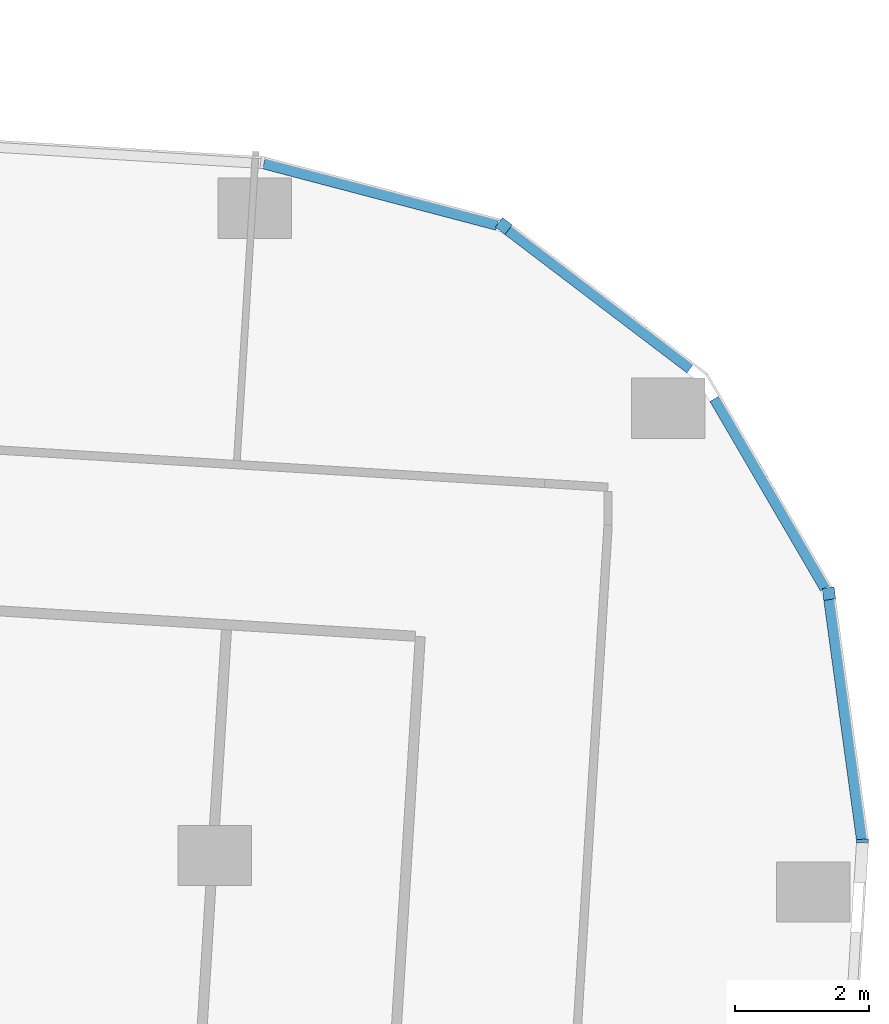
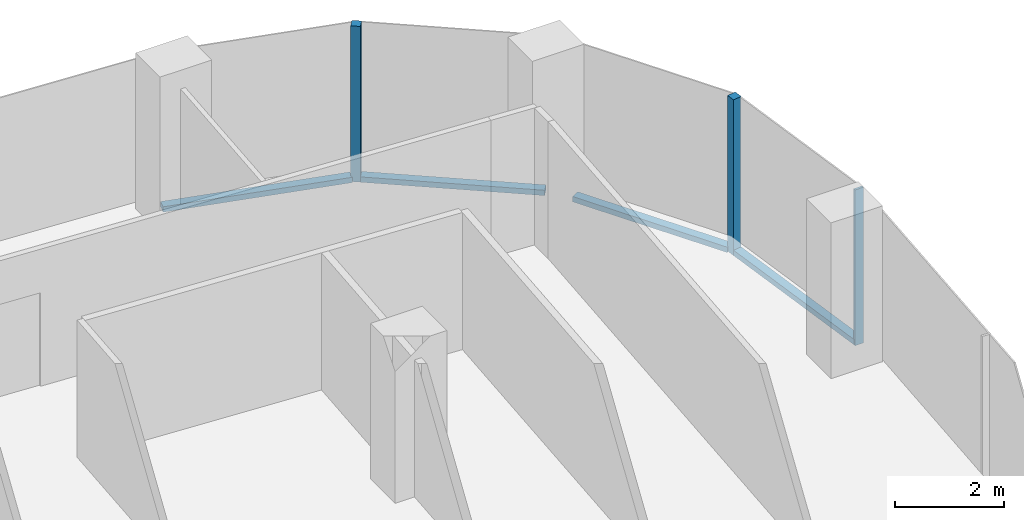
# One storey, part 15 of 32: 7 members, 5 elements without a shape of their own.
"""IFC4 building model written with IfcOpenShell, lengths in metres."""

from ifc_helpers import new_model, si_unit, direction, frame, origin, origin_2d, place, context, subcontext, project, spatial, rectangle, extrude, material, material_profile, profile_set, type_object, element, aggregate, save


model = new_model("IFC4")

# Units and contexts
model_context = context("Model", 3, precision=1e-05, world=origin(), true_north=direction((0.0, 1.0)))
body_context = subcontext(model_context, "Body", "Model", "MODEL_VIEW")
ifc_project = project(units=[si_unit("LENGTHUNIT", "METRE"), si_unit("AREAUNIT", "SQUARE_METRE"), si_unit("VOLUMEUNIT", "CUBIC_METRE"), si_unit("PLANEANGLEUNIT", "RADIAN"), si_unit("MASSUNIT", "GRAM", prefix="KILO")], contexts=[model_context])

# Site, building, storey
site_placement = place(None, origin())
site = spatial("IfcSite", under=ifc_project, at=site_placement, CompositionType="ELEMENT")
building_placement = place(site_placement, origin())
building = spatial("IfcBuilding", under=site, at=building_placement, Name="Orlundy Tower", CompositionType="ELEMENT")
storey_placement = place(building_placement, frame((0.0, 0.0, 149.10009765625)))
storey = spatial("IfcBuildingStorey", under=building, at=storey_placement, Name="L38", CompositionType="ELEMENT", Elevation=149.10009765625)

# Curtain wall, member
ifc_material_1 = material(Name="Aluminium bronze anodised", Category="aluminium")
curtain_wall_type = type_object("IfcCurtainWallType", Name="CW1 wall", PredefinedType="NOTDEFINED", material=ifc_material_1)
curtain_wall_1_placement = place(storey_placement, origin())
curtain_wall_1 = element("IfcCurtainWall", 1, at=curtain_wall_1_placement, inside=storey, type_object=curtain_wall_type, Name="CW1 run 020", PredefinedType="NOTDEFINED")
ifc_material_2 = material(Name="Aluminium bronze anodised", Category="aluminium")
ifc_material_profile_1 = material_profile(ifc_material_2, rectangle(XDim=0.179931640625, YDim=0.179931640625, at=origin_2d()), Name="CW1 corner post 180x180")
ifc_profile_set_1 = profile_set([ifc_material_profile_1], Name="Aluminium bronze anodised")
member_type_1 = type_object("IfcMemberType", Name="CW1 corner post 180x180", PredefinedType="MULLION", material=ifc_profile_set_1)
member_1_placement = place(storey_placement, frame((55.750244140625, 15.987548828125, -0.400146484375), z_axis=(0.0, 0.0, 1.0), x_axis=(0.605124308835, 0.796131001065, 0.0)))
member_1 = element("IfcMember", 2, at=member_1_placement, type_object=member_type_1, Name="CW1 mullion 58", PredefinedType="MULLION", context=body_context, shape_type="SweptSolid", body=[
    extrude(rectangle(XDim=0.179931640625, YDim=0.179931640625, at=origin_2d()), origin(), (0.0, 0.0, 1.0), 3.5),
])

curtain_wall_2_placement = place(storey_placement, origin())
curtain_wall_2 = element("IfcCurtainWall", 3, at=curtain_wall_2_placement, inside=storey, type_object=curtain_wall_type, Name="CW1 run 022", PredefinedType="NOTDEFINED")
member_2_placement = place(storey_placement, frame((60.61474609375, 10.489990234375, -0.400146484375), z_axis=(0.0, 0.0, 1.0), x_axis=(0.990861331967, 0.134884472094, 0.0)))
member_2 = element("IfcMember", 4, at=member_2_placement, type_object=member_type_1, Name="CW1 mullion 60", PredefinedType="MULLION", context=body_context, shape_type="SweptSolid", body=[
    extrude(rectangle(XDim=0.179931640625, YDim=0.179931640625, at=origin_2d()), origin(), (0.0, 0.0, 1.0), 3.5),
])

curtain_wall_3_placement = place(storey_placement, origin())
curtain_wall_3 = element("IfcCurtainWall", 5, at=curtain_wall_3_placement, inside=storey, type_object=curtain_wall_type, Name="CW1 run 023", PredefinedType="NOTDEFINED")
ifc_material_3 = material(Name="Aluminium bronze anodised", Category="aluminium")
ifc_material_profile_2 = material_profile(ifc_material_3, rectangle(XDim=0.179931640625, YDim=0.050048828125, at=origin_2d()), Name="CW1 mullion 50x180")
ifc_profile_set_2 = profile_set([ifc_material_profile_2], Name="Aluminium bronze anodised")
member_type_2 = type_object("IfcMemberType", Name="CW1 mullion 50x180", PredefinedType="MULLION", material=ifc_profile_set_2)
member_3_placement = place(storey_placement, frame((61.118408203125, 6.790283203125, -0.400146484375), z_axis=(0.0, 0.0, 1.0), x_axis=(0.999311655911, 0.037097363258, 0.0)))
member_3 = element("IfcMember", 6, at=member_3_placement, type_object=member_type_2, Name="CW1 mullion 61", PredefinedType="MULLION", context=body_context, shape_type="SweptSolid", body=[
    extrude(rectangle(XDim=0.179931640625, YDim=0.050048828125, at=origin_2d()), origin(), (0.0, 0.0, 1.0), 3.5),
])
aggregate(curtain_wall_3, [member_3])

curtain_wall_4_placement = place(storey_placement, origin())
curtain_wall_4 = element("IfcCurtainWall", 7, at=curtain_wall_4_placement, inside=storey, type_object=curtain_wall_type, Name="CW1 run 019", PredefinedType="NOTDEFINED")
ifc_material_4 = material(Name="Aluminium bronze anodised", Category="aluminium")
ifc_material_profile_3 = material_profile(ifc_material_4, rectangle(XDim=0.179931640625, YDim=0.1201171875, at=origin_2d()), Name="CW1 transom 180x120")
ifc_profile_set_3 = profile_set([ifc_material_profile_3], Name="Aluminium bronze anodised")
member_type_3 = type_object("IfcMemberType", Name="CW1 transom 180x120", PredefinedType="USERDEFINED", material=ifc_profile_set_3)
member_4_placement = place(storey_placement, frame((52.16455078125, 16.931884765625, -0.340087890625), z_axis=(0.96701495027, -0.254719622241, 0.0), x_axis=(0.254719622241, 0.96701495027, 0.0)))
member_4 = element("IfcMember", 8, at=member_4_placement, type_object=member_type_3, Name="CW1 transom", ObjectType="TRANSOM", PredefinedType="USERDEFINED", context=body_context, shape_type="SweptSolid", body=[
    extrude(rectangle(XDim=0.179931640625, YDim=0.1201171875, at=origin_2d()), origin(), (0.0, 0.0, 1.0), 3.610595703125),
])
aggregate(curtain_wall_4, [member_4])

# Member
member_5_placement = place(storey_placement, frame((55.82177734375, 15.93310546875, -0.340087890625), z_axis=(0.796127795516, -0.605128526188, 0.0), x_axis=(0.605128526188, 0.796127795516, 0.0)))
member_5 = element("IfcMember", 9, at=member_5_placement, type_object=member_type_3, Name="CW1 transom", ObjectType="TRANSOM", PredefinedType="USERDEFINED", context=body_context, shape_type="SweptSolid", body=[
    extrude(rectangle(XDim=0.179931640625, YDim=0.1201171875, at=origin_2d()), origin(), (0.0, 0.0, 1.0), 3.419189453125),
])

aggregate(curtain_wall_1, [member_1, member_5])

# Curtain wall, member
curtain_wall_5_placement = place(storey_placement, origin())
curtain_wall_5 = element("IfcCurtainWall", 10, at=curtain_wall_5_placement, inside=storey, type_object=curtain_wall_type, Name="CW1 run 021", PredefinedType="NOTDEFINED")
member_6_placement = place(storey_placement, frame((58.912109375, 13.41015625, -0.340087890625), z_axis=(0.503672192533, -0.863894856142, 0.0), x_axis=(0.863894856142, 0.503672192533, 0.0)))
member_6 = element("IfcMember", 11, at=member_6_placement, type_object=member_type_3, Name="CW1 transom", ObjectType="TRANSOM", PredefinedType="USERDEFINED", context=body_context, shape_type="SweptSolid", body=[
    extrude(rectangle(XDim=0.179931640625, YDim=0.1201171875, at=origin_2d()), origin(), (0.0, 0.0, 1.0), 3.282958984375),
])
aggregate(curtain_wall_5, [member_6])

# Member
member_7_placement = place(storey_placement, frame((60.626953125, 10.400634765625, -0.340087890625), z_axis=(0.134872334559, -0.990862984156, 0.0), x_axis=(0.990862984156, 0.134872334559, 0.0)))
member_7 = element("IfcMember", 12, at=member_7_placement, type_object=member_type_3, Name="CW1 transom", ObjectType="TRANSOM", PredefinedType="USERDEFINED", context=body_context, shape_type="SweptSolid", body=[
    extrude(rectangle(XDim=0.179931640625, YDim=0.1201171875, at=origin_2d()), origin(), (0.0, 0.0, 1.0), 3.618408203125),
])

aggregate(curtain_wall_2, [member_2, member_7])

save(model, "model.ifc")
